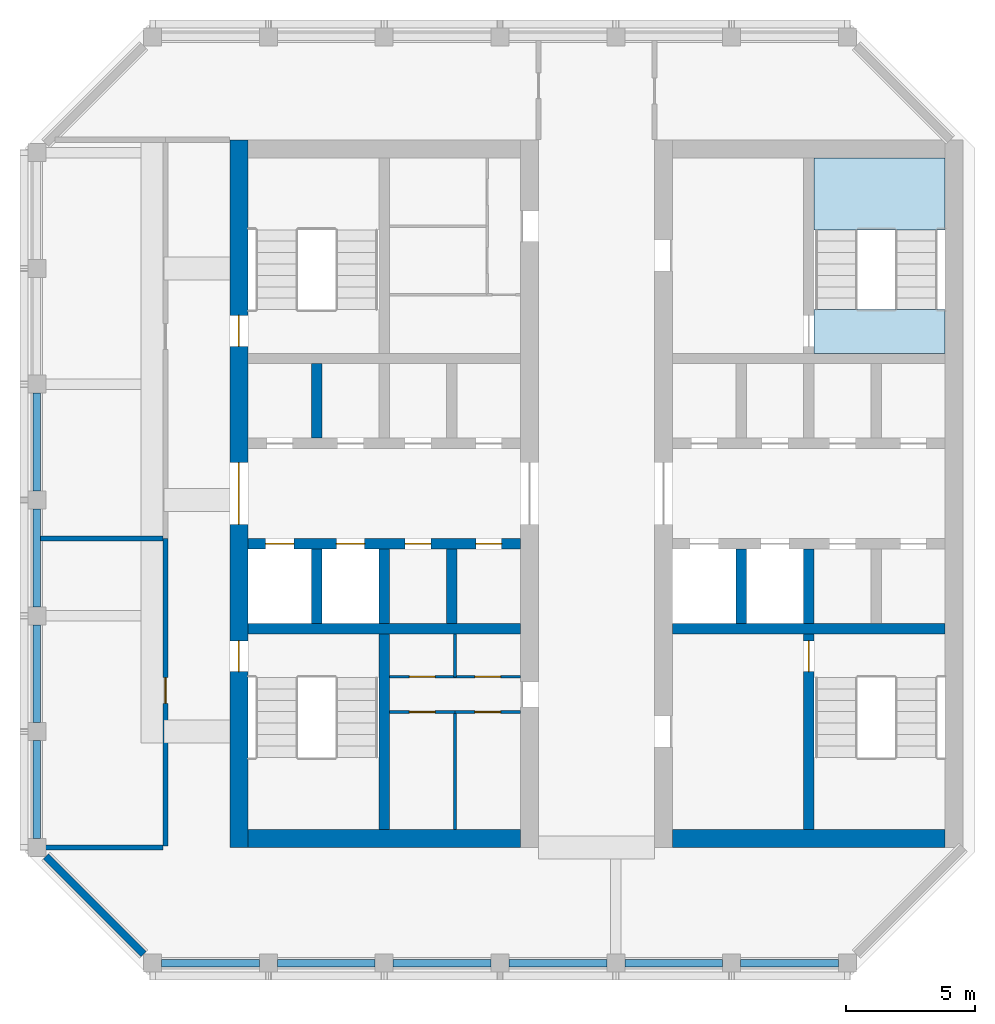
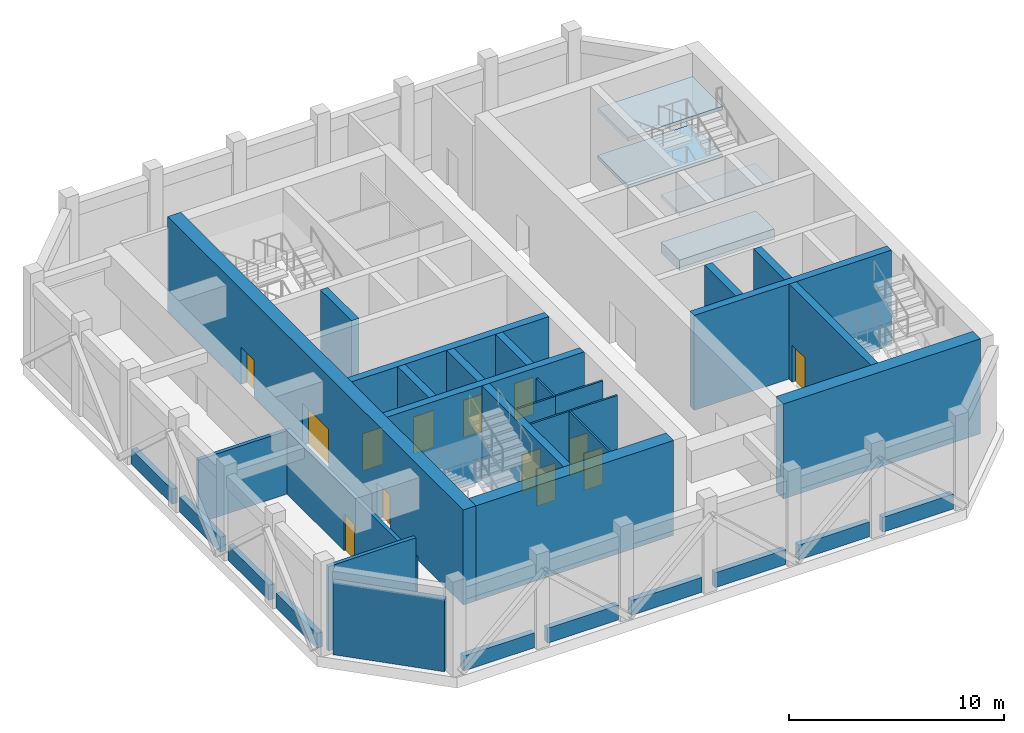
# One storey, part 2 of 7: 34 walls, 13 doors, 4 slabs, 13 openings, 1 element without a shape of its own.
"""IFC4 building model written with IfcOpenShell, lengths in metres."""

from ifc_helpers import new_model, si_unit, direction, frame, frame_2d, origin, place, context, subcontext, project, spatial, polyline, rectangle, outline, extrude, material, layer, layer_set, type_object, element, fill, aggregate, save


model = new_model("IFC4")

# Units and contexts
model_context = context("Model", 3, precision=1e-05, world=origin(), true_north=direction((0.0, 1.0)))
body_context = subcontext(model_context, "Body", "Model", "MODEL_VIEW")
ifc_project = project(units=[si_unit("LENGTHUNIT", "METRE"), si_unit("AREAUNIT", "SQUARE_METRE"), si_unit("VOLUMEUNIT", "CUBIC_METRE"), si_unit("PLANEANGLEUNIT", "RADIAN"), si_unit("MASSUNIT", "GRAM", prefix="KILO")], contexts=[model_context])

# Site, building, storey
site_placement = place(None, origin())
site = spatial("IfcSite", under=ifc_project, at=site_placement, CompositionType="ELEMENT")
building_placement = place(site_placement, origin())
building = spatial("IfcBuilding", under=site, at=building_placement, Name="Corbel Stack Research Tower", CompositionType="ELEMENT")
storey_placement = place(building_placement, frame((0.0, 0.0, 306.39990234375)))
storey = spatial("IfcBuildingStorey", under=building, at=storey_placement, Name="L69", CompositionType="ELEMENT", Elevation=306.39990234375)

# Slab
ifc_material_1 = material(Name="Concrete C45/55", Category="concrete")
ifc_layer_1 = layer(ifc_material_1, 0.60009765625)
ifc_layer_set_1 = layer_set([ifc_layer_1], Name="Concrete C45/55")
slab_type_1 = type_object("IfcSlabType", Name="PT-600", PredefinedType="FLOOR", material=ifc_layer_set_1)
slab_1_placement = place(storey_placement, frame((0.0, 0.0, -0.599853515625)))
element("IfcSlab", 1, at=slab_1_placement, inside=storey, type_object=slab_type_1, Name="Stair floor landing ST-E2", PredefinedType="FLOOR", context=body_context, shape_type="SweptSolid", body=[
    extrude(outline(polyline([(12.199951171875, 10.199951171875), (17.300048828125, 10.199951171875), (17.300048828125, 11.89990234375), (12.199951171875, 11.89990234375), (12.199951171875, 10.199951171875)])), origin(), (0.0, 0.0, 1.0), 0.599853515625),
])

# Stair, slabs
ifc_material_2 = material(Name="Concrete C40/50", Category="concrete")
stair_type = type_object("IfcStairType", Name="Exit stair 32 risers, 443 going", PredefinedType="HALF_TURN_STAIR", material=ifc_material_2)
stair_placement = place(storey_placement, origin())
stair = element("IfcStair", 2, at=stair_placement, inside=storey, type_object=stair_type, Name="L69 Exit stair ST-E2", PredefinedType="HALF_TURN_STAIR")
ifc_material_3 = material(Name="Concrete C40/50", Category="concrete")
ifc_layer_2 = layer(ifc_material_3, 0.199951171875)
ifc_layer_set_2 = layer_set([ifc_layer_2], Name="Concrete C40/50")
slab_type_2 = type_object("IfcSlabType", Name="Stair landing 200 C40/50", PredefinedType="LANDING", material=ifc_layer_set_2)
slab_2_placement = place(storey_placement, frame((0.0, 0.0, 1.150146484375)))
slab_2 = element("IfcSlab", 3, at=slab_2_placement, type_object=slab_type_2, Name="ST-E2 landing 1", PredefinedType="LANDING", context=body_context, shape_type="SweptSolid", body=[
    extrude(outline(polyline([(12.199951171875, 15.0009765625), (12.199951171875, 17.800048828125), (17.300048828125, 17.800048828125), (17.300048828125, 15.0009765625), (12.199951171875, 15.0009765625)])), origin(), (0.0, 0.0, 1.0), 0.199951171875),
])
slab_3_placement = place(storey_placement, frame((0.0, 0.0, 2.5)))
slab_3 = element("IfcSlab", 4, at=slab_3_placement, type_object=slab_type_2, Name="ST-E2 landing 2", PredefinedType="LANDING", context=body_context, shape_type="SweptSolid", body=[
    extrude(outline(polyline([(12.199951171875, 10.199951171875), (12.199951171875, 11.89990234375), (17.300048828125, 11.89990234375), (17.300048828125, 10.199951171875), (12.199951171875, 10.199951171875)])), origin(), (0.0, 0.0, 1.0), 0.2001953125),
])
slab_4_placement = place(storey_placement, frame((0.0, 0.0, 3.85009765625)))
slab_4 = element("IfcSlab", 5, at=slab_4_placement, type_object=slab_type_2, Name="ST-E2 landing 3", PredefinedType="LANDING", context=body_context, shape_type="SweptSolid", body=[
    extrude(outline(polyline([(12.199951171875, 15.0009765625), (12.199951171875, 17.800048828125), (17.300048828125, 17.800048828125), (17.300048828125, 15.0009765625), (12.199951171875, 15.0009765625)])), origin(), (0.0, 0.0, 1.0), 0.199951171875),
])
aggregate(stair, [slab_2, slab_3, slab_4])

# Walls
ifc_material_4 = material(Name="Concrete blockwork C20/25", Category="masonry")
ifc_layer_3 = layer(ifc_material_4, 0.199951171875)
ifc_layer_set_3 = layer_set([ifc_layer_3], Name="Concrete blockwork C20/25")
wall_type_1 = type_object("IfcWallType", Name="Blockwork partition 200", PredefinedType="PARTITIONING", material=ifc_layer_set_3)
wall_1_placement = place(storey_placement, frame((-17.85498046875, 3.0, 0.0), z_axis=(0.0, 0.0, 1.0), x_axis=(1.0, 0.0, 0.0)))
element("IfcWall", 6, at=wall_1_placement, inside=storey, type_object=wall_type_1, Name="Partition L69-01", PredefinedType="PARTITIONING", context=body_context, shape_type="SweptSolid", body=[
    extrude(rectangle(XDim=4.7548828125, YDim=0.199951171875, at=frame_2d((2.37744140625, 0.0))), origin(), (0.0, 0.0, 1.0), 3.60009765625),
])
wall_2_placement = place(storey_placement, frame((-17.794921875, -9.0, 0.0), z_axis=(0.0, 0.0, 1.0), x_axis=(1.0, 0.0, 0.0)))
element("IfcWall", 7, at=wall_2_placement, inside=storey, type_object=wall_type_1, Name="Partition L69-02", PredefinedType="PARTITIONING", context=body_context, shape_type="SweptSolid", body=[
    extrude(rectangle(XDim=4.704833984375, YDim=0.199951171875, at=frame_2d((2.3525390625, 0.0))), origin(), (0.0, 0.0, 1.0), 4.800048828125),
])

# Wall, opening, door
wall_3_placement = place(storey_placement, frame((-13.0, -8.93994140625, 0.0), z_axis=(0.0, 0.0, 1.0), x_axis=(0.0, 1.0, 0.0)))
wall_3 = element("IfcWall", 8, at=wall_3_placement, inside=storey, type_object=wall_type_1, Name="Partition L69-04", PredefinedType="PARTITIONING", context=body_context, shape_type="SweptSolid", body=[
    extrude(rectangle(XDim=11.93994140625, YDim=0.199951171875, at=frame_2d((5.969970703125, 0.0))), origin(), (0.0, 0.0, 1.0), 3.60009765625),
])
opening_1_placement = place(wall_3_placement, frame((5.5400390625, 0.0, 0.0)))
opening_1 = element("IfcOpeningElement", 9, at=opening_1_placement, cuts=wall_3, Name="Opening D69-01", PredefinedType="OPENING", context=body_context, shape_type="SweptSolid", body=[
    extrude(rectangle(XDim=1.0, YDim=2.10009765625, at=frame_2d((0.5, 1.050048828125))), frame((0.0, 0.10986328125, 0.0), z_axis=(0.0, -1.0, 0.0), x_axis=(1.0, 0.0, 0.0)), (0.0, 0.0, 1.0), 0.219970703125),
])
ifc_material_5 = material(Name="Steel, painted", Category="steel")
door_type_1 = type_object("IfcDoorType", Name="Steel door 1000 x 2100 FD60", OperationType="SINGLE_SWING_LEFT", PredefinedType="DOOR", material=ifc_material_5)
door_1_placement = place(opening_1_placement, origin())
door_1 = element("IfcDoor", 10, at=door_1_placement, inside=storey, type_object=door_type_1, Name="Chilled water plant room door", OperationType="SINGLE_SWING_LEFT", OverallHeight=2.10009765625, OverallWidth=1.0, PredefinedType="DOOR", context=body_context, shape_type="SweptSolid", body=[
    extrude(rectangle(XDim=1.0, YDim=2.10009765625, at=frame_2d((0.5, 1.050048828125))), frame((0.0, 0.02490234375, 0.0), z_axis=(0.0, -1.0, 0.0), x_axis=(1.0, 0.0, 0.0)), (0.0, 0.0, 1.0), 0.050048828125),
])
fill(opening_1, door_1)

# Wall
ifc_material_6 = material(Name="Concrete C60/75", Category="concrete")
ifc_layer_4 = layer(ifc_material_6, 0.39990234375)
ifc_layer_set_4 = layer_set([ifc_layer_4], Name="Concrete C60/75")
wall_type_2 = type_object("IfcWallType", Name="CW-400-60", PredefinedType="SHEAR", material=ifc_layer_set_4)
wall_4_placement = place(storey_placement, frame((-9.800048828125, -0.5, 0.0), z_axis=(0.0, 0.0, 1.0), x_axis=(1.0, 0.0, 0.0)))
element("IfcWall", 11, at=wall_4_placement, inside=storey, type_object=wall_type_2, Name="West core wall, south row back L69", PredefinedType="SHEAR", context=body_context, shape_type="SweptSolid", body=[
    extrude(rectangle(XDim=10.60009765625, YDim=0.39990234375, at=frame_2d((5.300048828125, 0.0))), origin(), (0.0, 0.0, 1.0), 5.400146484375),
])

# Wall, openings, doors
wall_5_placement = place(storey_placement, frame((-9.800048828125, 2.800048828125, 0.0), z_axis=(0.0, 0.0, 1.0), x_axis=(1.0, 0.0, 0.0)))
wall_5 = element("IfcWall", 12, at=wall_5_placement, inside=storey, type_object=wall_type_2, Name="West core wall, lobby south L69", PredefinedType="SHEAR", context=body_context, shape_type="SweptSolid", body=[
    extrude(rectangle(XDim=10.60009765625, YDim=0.39990234375, at=frame_2d((5.300048828125, 0.0))), origin(), (0.0, 0.0, 1.0), 5.400146484375),
])
opening_2_placement = place(wall_5_placement, frame((0.6875, 0.0, 0.0)))
opening_2 = element("IfcOpeningElement", 13, at=opening_2_placement, cuts=wall_5, Name="Opening LD-FS1", PredefinedType="OPENING", context=body_context, shape_type="SweptSolid", body=[
    extrude(rectangle(XDim=1.10009765625, YDim=2.10009765625, at=frame_2d((0.550048828125, 1.050048828125))), frame((0.0, 0.2099609375, 0.0), z_axis=(0.0, -1.0, 0.0), x_axis=(1.0, 0.0, 0.0)), (0.0, 0.0, 1.0), 0.419921875),
])
opening_3_placement = place(wall_5_placement, frame((3.4375, 0.0, 0.0)))
opening_3 = element("IfcOpeningElement", 14, at=opening_3_placement, cuts=wall_5, Name="Opening LD-GL1", PredefinedType="OPENING", context=body_context, shape_type="SweptSolid", body=[
    extrude(rectangle(XDim=1.10009765625, YDim=2.10009765625, at=frame_2d((0.550048828125, 1.050048828125))), frame((0.0, 0.2099609375, 0.0), z_axis=(0.0, -1.0, 0.0), x_axis=(1.0, 0.0, 0.0)), (0.0, 0.0, 1.0), 0.419921875),
])
opening_4_placement = place(wall_5_placement, frame((6.112548828125, 0.0, 0.0)))
opening_4 = element("IfcOpeningElement", 15, at=opening_4_placement, cuts=wall_5, Name="Opening CR-W54-S3", PredefinedType="OPENING", context=body_context, shape_type="SweptSolid", body=[
    extrude(rectangle(XDim=1.0, YDim=2.10009765625, at=frame_2d((0.5, 1.050048828125))), frame((0.0, 0.2099609375, 0.0), z_axis=(0.0, -1.0, 0.0), x_axis=(1.0, 0.0, 0.0)), (0.0, 0.0, 1.0), 0.419921875),
])
opening_5_placement = place(wall_5_placement, frame((8.862548828125, 0.0, 0.0)))
opening_5 = element("IfcOpeningElement", 16, at=opening_5_placement, cuts=wall_5, Name="Opening CR-W54-S4", PredefinedType="OPENING", context=body_context, shape_type="SweptSolid", body=[
    extrude(rectangle(XDim=1.0, YDim=2.10009765625, at=frame_2d((0.5, 1.050048828125))), frame((0.0, 0.2099609375, 0.0), z_axis=(0.0, -1.0, 0.0), x_axis=(1.0, 0.0, 0.0)), (0.0, 0.0, 1.0), 0.419921875),
])
ifc_material_7 = material(Name="Stainless steel landing door", Category="steel")
door_type_2 = type_object("IfcDoorType", Name="Lift landing door 1100 x 2100", OperationType="DOUBLE_DOOR_SLIDING", PredefinedType="DOOR", material=ifc_material_7)
door_2_placement = place(opening_2_placement, origin())
door_2 = element("IfcDoor", 17, at=door_2_placement, inside=storey, type_object=door_type_2, Name="Landing door FS1", OperationType="DOUBLE_DOOR_SLIDING", OverallHeight=2.10009765625, OverallWidth=1.10009765625, PredefinedType="DOOR", context=body_context, shape_type="SweptSolid", body=[
    extrude(rectangle(XDim=1.10009765625, YDim=2.10009765625, at=frame_2d((0.550048828125, 1.050048828125))), frame((0.0, 0.02490234375, 0.0), z_axis=(0.0, -1.0, 0.0), x_axis=(1.0, 0.0, 0.0)), (0.0, 0.0, 1.0), 0.050048828125),
])
fill(opening_2, door_2)
door_3_placement = place(opening_3_placement, origin())
door_3 = element("IfcDoor", 18, at=door_3_placement, inside=storey, type_object=door_type_2, Name="Landing door GL1", OperationType="DOUBLE_DOOR_SLIDING", OverallHeight=2.10009765625, OverallWidth=1.10009765625, PredefinedType="DOOR", context=body_context, shape_type="SweptSolid", body=[
    extrude(rectangle(XDim=1.10009765625, YDim=2.10009765625, at=frame_2d((0.550048828125, 1.050048828125))), frame((0.0, 0.02490234375, 0.0), z_axis=(0.0, -1.0, 0.0), x_axis=(1.0, 0.0, 0.0)), (0.0, 0.0, 1.0), 0.050048828125),
])
fill(opening_3, door_3)
ifc_material_8 = material(Name="Painted steel door", Category="steel")
door_type_3 = type_object("IfcDoorType", Name="Service door 1000 x 2100 FD60 left hand", OperationType="SINGLE_SWING_LEFT", PredefinedType="DOOR", material=ifc_material_8)
door_4_placement = place(opening_4_placement, origin())
door_4 = element("IfcDoor", 19, at=door_4_placement, inside=storey, type_object=door_type_3, Name="Electrical switch room door W core", OperationType="SINGLE_SWING_LEFT", OverallHeight=2.10009765625, OverallWidth=1.0, PredefinedType="DOOR", context=body_context, shape_type="SweptSolid", body=[
    extrude(rectangle(XDim=1.0, YDim=2.10009765625, at=frame_2d((0.5, 1.050048828125))), frame((0.0, 0.02490234375, 0.0), z_axis=(0.0, -1.0, 0.0), x_axis=(1.0, 0.0, 0.0)), (0.0, 0.0, 1.0), 0.050048828125),
])
fill(opening_4, door_4)
ifc_material_9 = material(Name="Painted steel door", Category="steel")
door_type_4 = type_object("IfcDoorType", Name="Service door 1000 x 2100 FD60 right hand", OperationType="SINGLE_SWING_RIGHT", PredefinedType="DOOR", material=ifc_material_9)
door_5_placement = place(opening_5_placement, origin())
door_5 = element("IfcDoor", 20, at=door_5_placement, inside=storey, type_object=door_type_4, Name="Electrical switch room door W core", OperationType="SINGLE_SWING_RIGHT", OverallHeight=2.10009765625, OverallWidth=1.0, PredefinedType="DOOR", context=body_context, shape_type="SweptSolid", body=[
    extrude(rectangle(XDim=1.0, YDim=2.10009765625, at=frame_2d((0.5, 1.050048828125))), frame((0.0, 0.02490234375, 0.0), z_axis=(0.0, -1.0, 0.0), x_axis=(1.0, 0.0, 0.0)), (0.0, 0.0, 1.0), 0.050048828125),
])
fill(opening_5, door_5)

# Walls
for number, where, z_axis, x_axis, name in (
    (21, (-7.125, -0.300048828125, 0.0), (0.0, 0.0, 1.0), (0.0, 1.0, 0.0), "West core wall, south shaft 1 L69"),
    (22, (-7.125, 6.89990234375, 0.0), (0.0, 0.0, 1.0), (0.0, 1.0, 0.0), "West core wall, north shaft 1 L69"),
    (23, (-4.5, -0.300048828125, 0.0), (0.0, 0.0, 1.0), (0.0, 1.0, 0.0), "West core wall, south shaft 2 L69"),
    (24, (-1.875, -0.300048828125, 0.0), (0.0, 0.0, 1.0), (0.0, 1.0, 0.0), "West core wall, south shaft 3 L69"),
):
    element("IfcWall", number, at=place(storey_placement, frame(where, z_axis=z_axis, x_axis=x_axis)), inside=storey, type_object=wall_type_2, Name=name, PredefinedType="SHEAR", context=body_context, shape_type="SweptSolid", body=[
        extrude(rectangle(XDim=2.900146484375, YDim=0.39990234375, at=frame_2d((1.4501953125, 0.0))), origin(), (0.0, 0.0, 1.0), 5.400146484375),
    ])
wall_6_placement = place(storey_placement, frame((-4.5, -8.300048828125, 0.0), z_axis=(0.0, 0.0, 1.0), x_axis=(0.0, 1.0, 0.0)))
element("IfcWall", 25, at=wall_6_placement, inside=storey, type_object=wall_type_2, Name="West core wall, south stair and WC L69", PredefinedType="SHEAR", context=body_context, shape_type="SweptSolid", body=[
    extrude(rectangle(XDim=7.60009765625, YDim=0.39990234375, at=frame_2d((3.800048828125, 0.0))), origin(), (0.0, 0.0, 1.0), 5.400146484375),
])
wall_7_placement = place(storey_placement, frame((6.699951171875, -0.5, 0.0), z_axis=(0.0, 0.0, 1.0), x_axis=(1.0, 0.0, 0.0)))
element("IfcWall", 26, at=wall_7_placement, inside=storey, type_object=wall_type_2, Name="East core wall, south row back L69", PredefinedType="SHEAR", context=body_context, shape_type="SweptSolid", body=[
    extrude(rectangle(XDim=10.60009765625, YDim=0.39990234375, at=frame_2d((5.300048828125, 0.0))), origin(), (0.0, 0.0, 1.0), 5.400146484375),
])
for number, where, z_axis, x_axis, name in (
    (27, (9.375, -0.300048828125, 0.0), (0.0, 0.0, 1.0), (0.0, 1.0, 0.0), "East core wall, south shaft 1 L69"),
    (28, (12.0, -0.300048828125, 0.0), (0.0, 0.0, 1.0), (0.0, 1.0, 0.0), "East core wall, south shaft 2 L69"),
):
    element("IfcWall", number, at=place(storey_placement, frame(where, z_axis=z_axis, x_axis=x_axis)), inside=storey, type_object=wall_type_2, Name=name, PredefinedType="SHEAR", context=body_context, shape_type="SweptSolid", body=[
        extrude(rectangle(XDim=2.900146484375, YDim=0.39990234375, at=frame_2d((1.4501953125, 0.0))), origin(), (0.0, 0.0, 1.0), 5.400146484375),
    ])

# Wall, opening, door
wall_8_placement = place(storey_placement, frame((12.0, -8.300048828125, 0.0), z_axis=(0.0, 0.0, 1.0), x_axis=(0.0, 1.0, 0.0)))
wall_8 = element("IfcWall", 29, at=wall_8_placement, inside=storey, type_object=wall_type_2, Name="East core wall, south stair and WC L69", PredefinedType="SHEAR", context=body_context, shape_type="SweptSolid", body=[
    extrude(rectangle(XDim=7.60009765625, YDim=0.39990234375, at=frame_2d((3.800048828125, 0.0))), origin(), (0.0, 0.0, 1.0), 5.400146484375),
])
opening_6_placement = place(wall_8_placement, frame((6.125, 0.0, 0.0)))
opening_6 = element("IfcOpeningElement", 30, at=opening_6_placement, cuts=wall_8, Name="Opening SD-ST-E1", PredefinedType="OPENING", context=body_context, shape_type="SweptSolid", body=[
    extrude(rectangle(XDim=1.199951171875, YDim=2.10009765625, at=frame_2d((0.60009765625, 1.050048828125))), frame((0.0, 0.2099609375, 0.0), z_axis=(0.0, -1.0, 0.0), x_axis=(1.0, 0.0, 0.0)), (0.0, 0.0, 1.0), 0.419921875),
])
ifc_material_10 = material(Name="Painted steel fire door", Category="steel")
door_type_5 = type_object("IfcDoorType", Name="Stair door 1200 x 2100 FD90 right hand", OperationType="SINGLE_SWING_RIGHT", PredefinedType="DOOR", material=ifc_material_10)
door_6_placement = place(opening_6_placement, origin())
door_6 = element("IfcDoor", 31, at=door_6_placement, inside=storey, type_object=door_type_5, Name="Stair door ST-E1", OperationType="SINGLE_SWING_RIGHT", OverallHeight=2.10009765625, OverallWidth=1.199951171875, PredefinedType="DOOR", context=body_context, shape_type="SweptSolid", body=[
    extrude(rectangle(XDim=1.199951171875, YDim=2.10009765625, at=frame_2d((0.60009765625, 1.050048828125))), frame((0.0, 0.02490234375, 0.0), z_axis=(0.0, -1.0, 0.0), x_axis=(1.0, 0.0, 0.0)), (0.0, 0.0, 1.0), 0.050048828125),
])
fill(opening_6, door_6)

# Wall, openings, doors
ifc_material_11 = material(Name="Concrete C60/75", Category="concrete")
ifc_layer_5 = layer(ifc_material_11, 0.699951171875)
ifc_layer_set_5 = layer_set([ifc_layer_5], Name="Concrete C60/75")
wall_type_3 = type_object("IfcWallType", Name="CW-700-60", PredefinedType="SHEAR", material=ifc_layer_set_5)
wall_9_placement = place(storey_placement, frame((-10.14990234375, -9.0, 0.0), z_axis=(0.0, 0.0, 1.0), x_axis=(0.0, 1.0, 0.0)))
wall_9 = element("IfcWall", 32, at=wall_9_placement, inside=storey, type_object=wall_type_3, Name="West core wall, west face L69", PredefinedType="SHEAR", context=body_context, shape_type="SweptSolid", body=[
    extrude(rectangle(XDim=27.5, YDim=0.699951171875, at=frame_2d((13.75, 0.0))), origin(), (0.0, 0.0, 1.0), 5.400146484375),
])
opening_7_placement = place(wall_9_placement, frame((12.550048828125, 0.0, 0.0)))
opening_7 = element("IfcOpeningElement", 33, at=opening_7_placement, cuts=wall_9, Name="Opening CD-W-W", PredefinedType="OPENING", context=body_context, shape_type="SweptSolid", body=[
    extrude(rectangle(XDim=2.39990234375, YDim=2.39990234375, at=frame_2d((1.199951171875, 1.199951171875))), frame((0.0, 0.35986328125, 0.0), z_axis=(0.0, -1.0, 0.0), x_axis=(1.0, 0.0, 0.0)), (0.0, 0.0, 1.0), 0.719970703125),
])
opening_8_placement = place(wall_9_placement, frame((6.824951171875, 0.0, 0.0)))
opening_8 = element("IfcOpeningElement", 34, at=opening_8_placement, cuts=wall_9, Name="Opening SD-ST-W1", PredefinedType="OPENING", context=body_context, shape_type="SweptSolid", body=[
    extrude(rectangle(XDim=1.199951171875, YDim=2.10009765625, at=frame_2d((0.60009765625, 1.050048828125))), frame((0.0, 0.35986328125, 0.0), z_axis=(0.0, -1.0, 0.0), x_axis=(1.0, 0.0, 0.0)), (0.0, 0.0, 1.0), 0.719970703125),
])
opening_9_placement = place(wall_9_placement, frame((19.47509765625, 0.0, 0.0)))
opening_9 = element("IfcOpeningElement", 35, at=opening_9_placement, cuts=wall_9, Name="Opening SD-ST-W2", PredefinedType="OPENING", context=body_context, shape_type="SweptSolid", body=[
    extrude(rectangle(XDim=1.199951171875, YDim=2.10009765625, at=frame_2d((0.60009765625, 1.050048828125))), frame((0.0, 0.35986328125, 0.0), z_axis=(0.0, -1.0, 0.0), x_axis=(1.0, 0.0, 0.0)), (0.0, 0.0, 1.0), 0.719970703125),
])
ifc_material_12 = material(Name="Painted steel fire door", Category="steel")
door_type_6 = type_object("IfcDoorType", Name="Lobby door pair 2400 x 2400 FD30S", OperationType="DOUBLE_DOOR_DOUBLE_SWING", PredefinedType="DOOR", material=ifc_material_12)
door_7_placement = place(opening_7_placement, origin())
door_7 = element("IfcDoor", 36, at=door_7_placement, inside=storey, type_object=door_type_6, Name="Lift lobby door W core W", OperationType="DOUBLE_DOOR_DOUBLE_SWING", OverallHeight=2.39990234375, OverallWidth=2.39990234375, PredefinedType="DOOR", context=body_context, shape_type="SweptSolid", body=[
    extrude(rectangle(XDim=2.39990234375, YDim=2.39990234375, at=frame_2d((1.199951171875, 1.199951171875))), frame((0.0, 0.02490234375, 0.0), z_axis=(0.0, -1.0, 0.0), x_axis=(1.0, 0.0, 0.0)), (0.0, 0.0, 1.0), 0.050048828125),
])
fill(opening_7, door_7)
ifc_material_13 = material(Name="Painted steel fire door", Category="steel")
door_type_7 = type_object("IfcDoorType", Name="Stair door 1200 x 2100 FD90 left hand", OperationType="SINGLE_SWING_LEFT", PredefinedType="DOOR", material=ifc_material_13)
door_8_placement = place(opening_8_placement, origin())
door_8 = element("IfcDoor", 37, at=door_8_placement, inside=storey, type_object=door_type_7, Name="Stair door ST-W1", OperationType="SINGLE_SWING_LEFT", OverallHeight=2.10009765625, OverallWidth=1.199951171875, PredefinedType="DOOR", context=body_context, shape_type="SweptSolid", body=[
    extrude(rectangle(XDim=1.199951171875, YDim=2.10009765625, at=frame_2d((0.60009765625, 1.050048828125))), frame((0.0, 0.02490234375, 0.0), z_axis=(0.0, -1.0, 0.0), x_axis=(1.0, 0.0, 0.0)), (0.0, 0.0, 1.0), 0.050048828125),
])
fill(opening_8, door_8)
door_9_placement = place(opening_9_placement, origin())
door_9 = element("IfcDoor", 38, at=door_9_placement, inside=storey, type_object=door_type_7, Name="Stair door ST-W2", OperationType="SINGLE_SWING_LEFT", OverallHeight=2.10009765625, OverallWidth=1.199951171875, PredefinedType="DOOR", context=body_context, shape_type="SweptSolid", body=[
    extrude(rectangle(XDim=1.199951171875, YDim=2.10009765625, at=frame_2d((0.60009765625, 1.050048828125))), frame((0.0, 0.02490234375, 0.0), z_axis=(0.0, -1.0, 0.0), x_axis=(1.0, 0.0, 0.0)), (0.0, 0.0, 1.0), 0.050048828125),
])
fill(opening_9, door_9)

# Walls
for number, where, z_axis, x_axis, name in (
    (39, (-9.800048828125, -8.64990234375, 0.0), (0.0, 0.0, 1.0), (1.0, 0.0, 0.0), "West core wall, south end L69"),
    (40, (6.699951171875, -8.64990234375, 0.0), (0.0, 0.0, 1.0), (1.0, 0.0, 0.0), "East core wall, south end L69"),
):
    element("IfcWall", number, at=place(storey_placement, frame(where, z_axis=z_axis, x_axis=x_axis)), inside=storey, type_object=wall_type_3, Name=name, PredefinedType="SHEAR", context=body_context, shape_type="SweptSolid", body=[
        extrude(rectangle(XDim=10.60009765625, YDim=0.699951171875, at=frame_2d((5.300048828125, 0.0))), origin(), (0.0, 0.0, 1.0), 5.400146484375),
    ])

# Wall, opening, door
ifc_material_14 = material(Name="Gypsum board")
ifc_layer_6 = layer(ifc_material_14, 0.10009765625)
ifc_layer_set_6 = layer_set([ifc_layer_6], Name="Gypsum board")
wall_type_4 = type_object("IfcWallType", Name="Core partition 100", PredefinedType="PARTITIONING", material=ifc_layer_set_6)
wall_10_placement = place(storey_placement, frame((-1.75, -3.739990234375, 0.0), z_axis=(0.0, 0.0, 1.0), x_axis=(1.0, 0.0, 0.0)))
wall_10 = element("IfcWall", 41, at=wall_10_placement, inside=storey, type_object=wall_type_4, Name="Core partition W", PredefinedType="PARTITIONING", context=body_context, shape_type="SweptSolid", body=[
    extrude(rectangle(XDim=2.550048828125, YDim=0.10009765625, at=frame_2d((1.27490234375, 0.0))), origin(), (0.0, 0.0, 1.0), 4.800048828125),
])
opening_10_placement = place(wall_10_placement, frame((0.77490234375, 0.0, 0.0)))
opening_10 = element("IfcOpeningElement", 42, at=opening_10_placement, cuts=wall_10, Name="Opening CR-W54-W2-1000", PredefinedType="OPENING", context=body_context, shape_type="SweptSolid", body=[
    extrude(rectangle(XDim=1.0, YDim=2.10009765625, at=frame_2d((0.5, 1.050048828125))), frame((0.0, 0.06005859375, 0.0), z_axis=(0.0, -1.0, 0.0), x_axis=(1.0, 0.0, 0.0)), (0.0, 0.0, 1.0), 0.1201171875),
])
ifc_material_15 = material(Name="Painted timber door", Category="wood")
door_type_8 = type_object("IfcDoorType", Name="WC door 1000 x 2100 right hand", OperationType="SINGLE_SWING_RIGHT", PredefinedType="DOOR", material=ifc_material_15)
door_10_placement = place(opening_10_placement, origin())
door_10 = element("IfcDoor", 43, at=door_10_placement, inside=storey, type_object=door_type_8, Name="Women's WC door W core", OperationType="SINGLE_SWING_RIGHT", OverallHeight=2.10009765625, OverallWidth=1.0, PredefinedType="DOOR", context=body_context, shape_type="SweptSolid", body=[
    extrude(rectangle(XDim=1.0, YDim=2.10009765625, at=frame_2d((0.5, 1.050048828125))), frame((0.0, 0.02490234375, 0.0), z_axis=(0.0, -1.0, 0.0), x_axis=(1.0, 0.0, 0.0)), (0.0, 0.0, 1.0), 0.050048828125),
])
fill(opening_10, door_10)

wall_11_placement = place(storey_placement, frame((-4.300048828125, -3.739990234375, 0.0), z_axis=(0.0, 0.0, 1.0), x_axis=(1.0, 0.0, 0.0)))
wall_11 = element("IfcWall", 44, at=wall_11_placement, inside=storey, type_object=wall_type_4, Name="Core partition W", PredefinedType="PARTITIONING", context=body_context, shape_type="SweptSolid", body=[
    extrude(rectangle(XDim=2.550048828125, YDim=0.10009765625, at=frame_2d((1.27490234375, 0.0))), origin(), (0.0, 0.0, 1.0), 4.800048828125),
])
opening_11_placement = place(wall_11_placement, frame((0.77490234375, 0.0, 0.0)))
opening_11 = element("IfcOpeningElement", 45, at=opening_11_placement, cuts=wall_11, Name="Opening CR-W54-W3-1000", PredefinedType="OPENING", context=body_context, shape_type="SweptSolid", body=[
    extrude(rectangle(XDim=1.0, YDim=2.10009765625, at=frame_2d((0.5, 1.050048828125))), frame((0.0, 0.06005859375, 0.0), z_axis=(0.0, -1.0, 0.0), x_axis=(1.0, 0.0, 0.0)), (0.0, 0.0, 1.0), 0.1201171875),
])
ifc_material_16 = material(Name="Painted timber door", Category="wood")
door_type_9 = type_object("IfcDoorType", Name="WC door 1000 x 2100 left hand", OperationType="SINGLE_SWING_LEFT", PredefinedType="DOOR", material=ifc_material_16)
door_11_placement = place(opening_11_placement, origin())
door_11 = element("IfcDoor", 46, at=door_11_placement, inside=storey, type_object=door_type_9, Name="Men's WC door W core", OperationType="SINGLE_SWING_LEFT", OverallHeight=2.10009765625, OverallWidth=1.0, PredefinedType="DOOR", context=body_context, shape_type="SweptSolid", body=[
    extrude(rectangle(XDim=1.0, YDim=2.10009765625, at=frame_2d((0.5, 1.050048828125))), frame((0.0, 0.02490234375, 0.0), z_axis=(0.0, -1.0, 0.0), x_axis=(1.0, 0.0, 0.0)), (0.0, 0.0, 1.0), 0.050048828125),
])
fill(opening_11, door_11)

wall_12_placement = place(storey_placement, frame((-1.75, -2.3720703125, 0.0), z_axis=(0.0, 0.0, 1.0), x_axis=(1.0, 0.0, 0.0)))
wall_12 = element("IfcWall", 47, at=wall_12_placement, inside=storey, type_object=wall_type_4, Name="Core partition W", PredefinedType="PARTITIONING", context=body_context, shape_type="SweptSolid", body=[
    extrude(rectangle(XDim=2.550048828125, YDim=0.10009765625, at=frame_2d((1.27490234375, 0.0))), origin(), (0.0, 0.0, 1.0), 4.800048828125),
])
opening_12_placement = place(wall_12_placement, frame((0.77490234375, 0.0, 0.0)))
opening_12 = element("IfcOpeningElement", 48, at=opening_12_placement, cuts=wall_12, Name="Opening CR-W54-W4-1000", PredefinedType="OPENING", context=body_context, shape_type="SweptSolid", body=[
    extrude(rectangle(XDim=1.0, YDim=2.10009765625, at=frame_2d((0.5, 1.050048828125))), frame((0.0, 0.06005859375, 0.0), z_axis=(0.0, -1.0, 0.0), x_axis=(1.0, 0.0, 0.0)), (0.0, 0.0, 1.0), 0.1201171875),
])
door_12_placement = place(opening_12_placement, origin())
door_12 = element("IfcDoor", 49, at=door_12_placement, inside=storey, type_object=door_type_8, Name="Accessible WC door W core", OperationType="SINGLE_SWING_RIGHT", OverallHeight=2.10009765625, OverallWidth=1.0, PredefinedType="DOOR", context=body_context, shape_type="SweptSolid", body=[
    extrude(rectangle(XDim=1.0, YDim=2.10009765625, at=frame_2d((0.5, 1.050048828125))), frame((0.0, 0.02490234375, 0.0), z_axis=(0.0, -1.0, 0.0), x_axis=(1.0, 0.0, 0.0)), (0.0, 0.0, 1.0), 0.050048828125),
])
fill(opening_12, door_12)

wall_13_placement = place(storey_placement, frame((-4.300048828125, -2.3720703125, 0.0), z_axis=(0.0, 0.0, 1.0), x_axis=(1.0, 0.0, 0.0)))
wall_13 = element("IfcWall", 50, at=wall_13_placement, inside=storey, type_object=wall_type_4, Name="Core partition W", PredefinedType="PARTITIONING", context=body_context, shape_type="SweptSolid", body=[
    extrude(rectangle(XDim=2.550048828125, YDim=0.10009765625, at=frame_2d((1.27490234375, 0.0))), origin(), (0.0, 0.0, 1.0), 4.800048828125),
])
opening_13_placement = place(wall_13_placement, frame((0.77490234375, 0.0, 0.0)))
opening_13 = element("IfcOpeningElement", 51, at=opening_13_placement, cuts=wall_13, Name="Opening CR-W54-W5-1000", PredefinedType="OPENING", context=body_context, shape_type="SweptSolid", body=[
    extrude(rectangle(XDim=1.0, YDim=2.10009765625, at=frame_2d((0.5, 1.050048828125))), frame((0.0, 0.06005859375, 0.0), z_axis=(0.0, -1.0, 0.0), x_axis=(1.0, 0.0, 0.0)), (0.0, 0.0, 1.0), 0.1201171875),
])
door_13_placement = place(opening_13_placement, origin())
door_13 = element("IfcDoor", 52, at=door_13_placement, inside=storey, type_object=door_type_9, Name="Shower and changing room door W core", OperationType="SINGLE_SWING_LEFT", OverallHeight=2.10009765625, OverallWidth=1.0, PredefinedType="DOOR", context=body_context, shape_type="SweptSolid", body=[
    extrude(rectangle(XDim=1.0, YDim=2.10009765625, at=frame_2d((0.5, 1.050048828125))), frame((0.0, 0.02490234375, 0.0), z_axis=(0.0, -1.0, 0.0), x_axis=(1.0, 0.0, 0.0)), (0.0, 0.0, 1.0), 0.050048828125),
])
fill(opening_13, door_13)

# Walls
wall_14_placement = place(storey_placement, frame((-1.75, -8.300048828125, 0.0), z_axis=(0.0, 0.0, 1.0), x_axis=(0.0, 1.0, 0.0)))
element("IfcWall", 53, at=wall_14_placement, inside=storey, type_object=wall_type_4, Name="Core partition W", PredefinedType="PARTITIONING", context=body_context, shape_type="SweptSolid", body=[
    extrude(rectangle(XDim=4.56005859375, YDim=0.10009765625, at=frame_2d((2.280029296875, 0.0))), origin(), (0.0, 0.0, 1.0), 4.800048828125),
])
wall_15_placement = place(storey_placement, frame((-1.75, -2.3720703125, 0.0), z_axis=(0.0, 0.0, 1.0), x_axis=(0.0, 1.0, 0.0)))
element("IfcWall", 54, at=wall_15_placement, inside=storey, type_object=wall_type_4, Name="Core partition W", PredefinedType="PARTITIONING", context=body_context, shape_type="SweptSolid", body=[
    extrude(rectangle(XDim=1.672119140625, YDim=0.10009765625, at=frame_2d((0.8359375, 0.0))), origin(), (0.0, 0.0, 1.0), 4.800048828125),
])
ifc_material_17 = material(Name="Concrete C45/55", Category="concrete")
ifc_layer_7 = layer(ifc_material_17, 0.300048828125)
ifc_layer_set_7 = layer_set([ifc_layer_7], Name="Concrete C45/55")
wall_type_5 = type_object("IfcWallType", Name="Precast plant wall 300 C45/55", PredefinedType="SOLIDWALL", material=ifc_layer_set_7)
for number, where, z_axis, x_axis, name in (
    (55, (-13.14990234375, -13.5, 0.0), (0.0, 0.0, 1.0), (1.0, 0.0, 0.0), "Plant wall base L69-01"),
    (56, (-8.64990234375, -13.5, 0.0), (0.0, 0.0, 1.0), (1.0, 0.0, 0.0), "Plant wall base L69-02"),
    (57, (-4.14990234375, -13.5, 0.0), (0.0, 0.0, 1.0), (1.0, 0.0, 0.0), "Plant wall base L69-03"),
    (58, (0.35009765625, -13.5, 0.0), (0.0, 0.0, 1.0), (1.0, 0.0, 0.0), "Plant wall base L69-04"),
    (59, (4.85009765625, -13.5, 0.0), (0.0, 0.0, 1.0), (1.0, 0.0, 0.0), "Plant wall base L69-05"),
    (60, (9.35009765625, -13.5, 0.0), (0.0, 0.0, 1.0), (1.0, 0.0, 0.0), "Plant wall base L69-06"),
    (61, (-18.0, 8.64990234375, 0.0), (0.0, 0.0, 1.0), (0.0, -1.0, 0.0), "Plant wall base L69-18"),
    (62, (-18.0, 4.14990234375, 0.0), (0.0, 0.0, 1.0), (0.0, -1.0, 0.0), "Plant wall base L69-19"),
    (63, (-18.0, -0.35009765625, 0.0), (0.0, 0.0, 1.0), (0.0, -1.0, 0.0), "Plant wall base L69-20"),
    (64, (-18.0, -4.85009765625, 0.0), (0.0, 0.0, 1.0), (0.0, -1.0, 0.0), "Plant wall base L69-21"),
):
    element("IfcWall", number, at=place(storey_placement, frame(where, z_axis=z_axis, x_axis=x_axis)), inside=storey, type_object=wall_type_5, Name=name, PredefinedType="SOLIDWALL", context=body_context, shape_type="SweptSolid", body=[
        extrude(rectangle(XDim=3.7998046875, YDim=0.300048828125, at=frame_2d((1.89990234375, 0.0))), origin(), (0.0, 0.0, 1.0), 0.85009765625),
    ])
wall_16_placement = place(storey_placement, frame((-17.64990234375, -9.35009765625, 0.0), z_axis=(0.0, 0.0, 1.0), x_axis=(0.707106781187, -0.707106781187, 0.0)))
element("IfcWall", 65, at=wall_16_placement, inside=storey, type_object=wall_type_5, Name="Plant wall L69-22", PredefinedType="SOLIDWALL", context=body_context, shape_type="SweptSolid", body=[
    extrude(rectangle(XDim=5.373779296875, YDim=0.300048828125, at=frame_2d((2.68701171875, 0.0))), origin(), (0.0, 0.0, 1.0), 4.10009765625),
])

save(model, "model.ifc")
